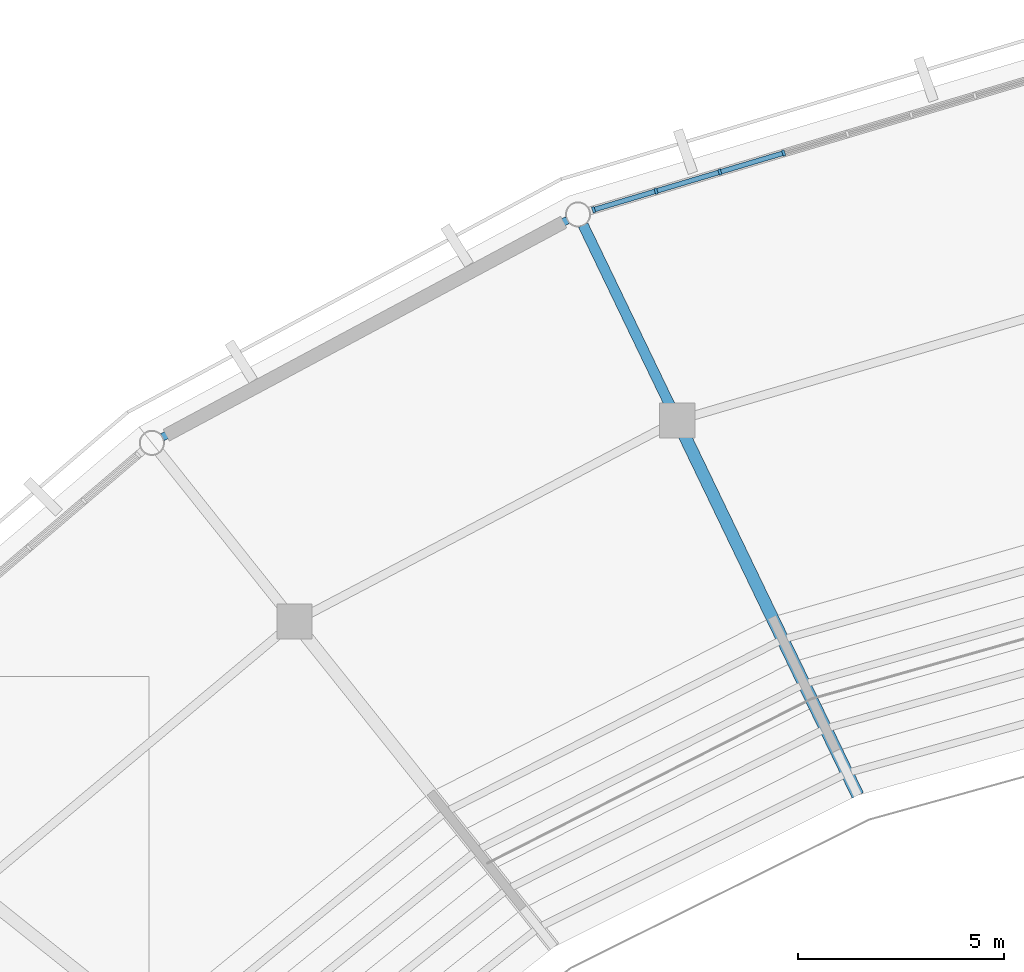
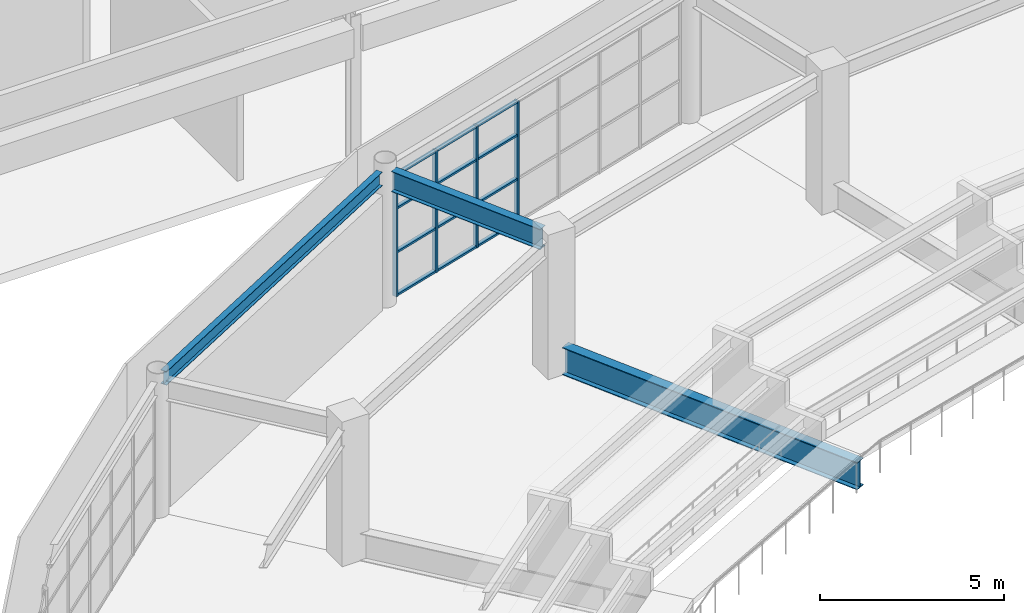
# One storey, part 53 of 122: 16 members, 3 beams, 1 element without a shape of its own.
"""IFC4 building model written with IfcOpenShell, lengths in metres."""

from ifc_helpers import new_model, si_unit, direction, frame, origin, origin_2d, place, context, subcontext, project, spatial, rectangle, i_section, extrude, material, material_profile, profile_set, type_object, element, aggregate, save


model = new_model("IFC4")

# Units and contexts
model_context = context("Model", 3, precision=1e-05, world=origin(), true_north=direction((0.0, 1.0)))
body_context = subcontext(model_context, "Body", "Model", "MODEL_VIEW")
ifc_project = project(units=[si_unit("LENGTHUNIT", "METRE"), si_unit("AREAUNIT", "SQUARE_METRE"), si_unit("VOLUMEUNIT", "CUBIC_METRE"), si_unit("PLANEANGLEUNIT", "RADIAN"), si_unit("MASSUNIT", "GRAM", prefix="KILO")], contexts=[model_context])

# Site, building, storey
site_placement = place(None, origin())
site = spatial("IfcSite", under=ifc_project, at=site_placement, CompositionType="ELEMENT")
building_placement = place(site_placement, origin())
building = spatial("IfcBuilding", under=site, at=building_placement, Name="Cuetzalor Civic Arena", CompositionType="ELEMENT")
storey_placement = place(building_placement, frame((0.0, 0.0, 16.199951171875)))
storey = spatial("IfcBuildingStorey", under=building, at=storey_placement, Name="L03", CompositionType="ELEMENT", Elevation=16.199951171875)

# Curtain wall, members
ifc_material_1 = material(Name="Anodised dark bronze aluminium and low-E solar glass", Category="aluminium")
curtain_wall_type = type_object("IfcCurtainWallType", Name="UnitisedCW_11300x4050", PredefinedType="USERDEFINED", material=ifc_material_1)
curtain_wall_placement = place(storey_placement, origin())
curtain_wall = element("IfcCurtainWall", 1, at=curtain_wall_placement, inside=storey, type_object=curtain_wall_type, Name="Drum Triangle Foyer Curtain Wall L03-048", ObjectType="UNITISED CURTAIN WALL", PredefinedType="USERDEFINED")
ifc_material_2 = material(Name="Anodised dark bronze aluminium", Category="aluminium")
ifc_material_profile_1 = material_profile(ifc_material_2, rectangle(XDim=0.06494140625, YDim=0.14990234375, at=origin_2d()), Name="ALU MULLION 65x150")
ifc_profile_set_1 = profile_set([ifc_material_profile_1], Name="Anodised dark bronze aluminium")
member_type_1 = type_object("IfcMemberType", Name="CurtainWallMullion_60x150", PredefinedType="MULLION", material=ifc_profile_set_1)
member_1_placement = place(storey_placement, frame((-23.290771484375, 42.052734375, 0.0), z_axis=(0.0, 0.0, 1.0), x_axis=(0.958193690548, 0.286120344251, 0.0)))
member_1 = element("IfcMember", 2, at=member_1_placement, type_object=member_type_1, Name="CW-15 mullion 1", PredefinedType="MULLION", context=body_context, shape_type="SweptSolid", body=[
    extrude(rectangle(XDim=0.06494140625, YDim=0.14990234375, at=origin_2d()), origin(), (0.0, 0.0, 1.0), 4.052978515625),
])
member_2_placement = place(storey_placement, frame((-21.77392578125, 42.505859375, 0.0), z_axis=(0.0, 0.0, 1.0), x_axis=(0.958193690548, 0.286120344251, 0.0)))
member_2 = element("IfcMember", 3, at=member_2_placement, type_object=member_type_1, Name="CW-15 mullion 2", PredefinedType="MULLION", context=body_context, shape_type="SweptSolid", body=[
    extrude(rectangle(XDim=0.06494140625, YDim=0.14990234375, at=origin_2d()), origin(), (0.0, 0.0, 1.0), 4.052978515625),
])
member_3_placement = place(storey_placement, frame((-20.2255859375, 42.968017578125, 0.0), z_axis=(0.0, 0.0, 1.0), x_axis=(0.958193690548, 0.286120344251, 0.0)))
member_3 = element("IfcMember", 4, at=member_3_placement, type_object=member_type_1, Name="CW-15 mullion 3", PredefinedType="MULLION", context=body_context, shape_type="SweptSolid", body=[
    extrude(rectangle(XDim=0.06494140625, YDim=0.14990234375, at=origin_2d()), origin(), (0.0, 0.0, 1.0), 4.052978515625),
])
member_4_placement = place(storey_placement, frame((-18.677490234375, 43.430419921875, 0.0), z_axis=(0.0, 0.0, 1.0), x_axis=(0.958193690548, 0.286120344251, 0.0)))
member_4 = element("IfcMember", 5, at=member_4_placement, type_object=member_type_1, Name="CW-15 mullion 4", PredefinedType="MULLION", context=body_context, shape_type="SweptSolid", body=[
    extrude(rectangle(XDim=0.06494140625, YDim=0.14990234375, at=origin_2d()), origin(), (0.0, 0.0, 1.0), 4.052978515625),
])
ifc_material_3 = material(Name="Anodised dark bronze aluminium", Category="aluminium")
ifc_material_profile_2 = material_profile(ifc_material_3, rectangle(XDim=0.1201171875, YDim=0.06494140625, at=origin_2d()), Name="ALU TRANSOM 65x120")
ifc_profile_set_2 = profile_set([ifc_material_profile_2], Name="Anodised dark bronze aluminium")
member_type_2 = type_object("IfcMemberType", Name="CurtainWallTransom_60x120", PredefinedType="USERDEFINED", material=ifc_profile_set_2)
member_5_placement = place(storey_placement, frame((-23.259765625, 42.06201171875, 0.032470703125), z_axis=(0.958166375169, 0.286211805303, 0.0), x_axis=(-0.286211805303, 0.958166375169, 0.0)))
member_5 = element("IfcMember", 6, at=member_5_placement, type_object=member_type_2, Name="CW-15 transom 1.1", ObjectType="TRANSOM", PredefinedType="USERDEFINED", context=body_context, shape_type="SweptSolid", body=[
    extrude(rectangle(XDim=0.1201171875, YDim=0.06494140625, at=origin_2d()), origin(), (0.0, 0.0, 1.0), 1.518310546875),
])
member_6_placement = place(storey_placement, frame((-23.259765625, 42.06201171875, 1.458984375), z_axis=(0.958166375169, 0.286211805303, 0.0), x_axis=(-0.286211805303, 0.958166375169, 0.0)))
member_6 = element("IfcMember", 7, at=member_6_placement, type_object=member_type_2, Name="CW-15 transom 1.2", ObjectType="TRANSOM", PredefinedType="USERDEFINED", context=body_context, shape_type="SweptSolid", body=[
    extrude(rectangle(XDim=0.1201171875, YDim=0.06494140625, at=origin_2d()), origin(), (0.0, 0.0, 1.0), 1.518310546875),
])
member_7_placement = place(storey_placement, frame((-23.259765625, 42.06201171875, 2.91796875), z_axis=(0.958166375169, 0.286211805303, 0.0), x_axis=(-0.286211805303, 0.958166375169, 0.0)))
member_7 = element("IfcMember", 8, at=member_7_placement, type_object=member_type_2, Name="CW-15 transom 1.3", ObjectType="TRANSOM", PredefinedType="USERDEFINED", context=body_context, shape_type="SweptSolid", body=[
    extrude(rectangle(XDim=0.1201171875, YDim=0.06494140625, at=origin_2d()), origin(), (0.0, 0.0, 1.0), 1.518310546875),
])
member_8_placement = place(storey_placement, frame((-23.259765625, 42.06201171875, 4.0205078125), z_axis=(0.958166375169, 0.286211805303, 0.0), x_axis=(-0.286211805303, 0.958166375169, 0.0)))
member_8 = element("IfcMember", 9, at=member_8_placement, type_object=member_type_2, Name="CW-15 transom 1.4", ObjectType="TRANSOM", PredefinedType="USERDEFINED", context=body_context, shape_type="SweptSolid", body=[
    extrude(rectangle(XDim=0.1201171875, YDim=0.06494140625, at=origin_2d()), origin(), (0.0, 0.0, 1.0), 1.518310546875),
])
member_9_placement = place(storey_placement, frame((-21.74267578125, 42.51513671875, 0.032470703125), z_axis=(0.958206775077, 0.286076521576, 0.0), x_axis=(-0.286076521576, 0.958206775077, 0.0)))
member_9 = element("IfcMember", 10, at=member_9_placement, type_object=member_type_2, Name="CW-15 transom 2.1", ObjectType="TRANSOM", PredefinedType="USERDEFINED", context=body_context, shape_type="SweptSolid", body=[
    extrude(rectangle(XDim=0.1201171875, YDim=0.06494140625, at=origin_2d()), origin(), (0.0, 0.0, 1.0), 1.550537109375),
])
member_10_placement = place(storey_placement, frame((-21.74267578125, 42.51513671875, 1.458984375), z_axis=(0.958206775077, 0.286076521576, 0.0), x_axis=(-0.286076521576, 0.958206775077, 0.0)))
member_10 = element("IfcMember", 11, at=member_10_placement, type_object=member_type_2, Name="CW-15 transom 2.2", ObjectType="TRANSOM", PredefinedType="USERDEFINED", context=body_context, shape_type="SweptSolid", body=[
    extrude(rectangle(XDim=0.1201171875, YDim=0.06494140625, at=origin_2d()), origin(), (0.0, 0.0, 1.0), 1.550537109375),
])
member_11_placement = place(storey_placement, frame((-21.74267578125, 42.51513671875, 2.91796875), z_axis=(0.958206775077, 0.286076521576, 0.0), x_axis=(-0.286076521576, 0.958206775077, 0.0)))
member_11 = element("IfcMember", 12, at=member_11_placement, type_object=member_type_2, Name="CW-15 transom 2.3", ObjectType="TRANSOM", PredefinedType="USERDEFINED", context=body_context, shape_type="SweptSolid", body=[
    extrude(rectangle(XDim=0.1201171875, YDim=0.06494140625, at=origin_2d()), origin(), (0.0, 0.0, 1.0), 1.550537109375),
])
member_12_placement = place(storey_placement, frame((-21.74267578125, 42.51513671875, 4.0205078125), z_axis=(0.958206775077, 0.286076521576, 0.0), x_axis=(-0.286076521576, 0.958206775077, 0.0)))
member_12 = element("IfcMember", 13, at=member_12_placement, type_object=member_type_2, Name="CW-15 transom 2.4", ObjectType="TRANSOM", PredefinedType="USERDEFINED", context=body_context, shape_type="SweptSolid", body=[
    extrude(rectangle(XDim=0.1201171875, YDim=0.06494140625, at=origin_2d()), origin(), (0.0, 0.0, 1.0), 1.550537109375),
])
member_13_placement = place(storey_placement, frame((-20.194580078125, 42.977294921875, 0.032470703125), z_axis=(0.958163607379, 0.286221071018, 0.0), x_axis=(-0.286221071018, 0.958163607379, 0.0)))
member_13 = element("IfcMember", 14, at=member_13_placement, type_object=member_type_2, Name="CW-15 transom 3.1", ObjectType="TRANSOM", PredefinedType="USERDEFINED", context=body_context, shape_type="SweptSolid", body=[
    extrude(rectangle(XDim=0.1201171875, YDim=0.06494140625, at=origin_2d()), origin(), (0.0, 0.0, 1.0), 1.55078125),
])
member_14_placement = place(storey_placement, frame((-20.194580078125, 42.977294921875, 1.458984375), z_axis=(0.958163607379, 0.286221071018, 0.0), x_axis=(-0.286221071018, 0.958163607379, 0.0)))
member_14 = element("IfcMember", 15, at=member_14_placement, type_object=member_type_2, Name="CW-15 transom 3.2", ObjectType="TRANSOM", PredefinedType="USERDEFINED", context=body_context, shape_type="SweptSolid", body=[
    extrude(rectangle(XDim=0.1201171875, YDim=0.06494140625, at=origin_2d()), origin(), (0.0, 0.0, 1.0), 1.55078125),
])
member_15_placement = place(storey_placement, frame((-20.194580078125, 42.977294921875, 2.91796875), z_axis=(0.958163607379, 0.286221071018, 0.0), x_axis=(-0.286221071018, 0.958163607379, 0.0)))
member_15 = element("IfcMember", 16, at=member_15_placement, type_object=member_type_2, Name="CW-15 transom 3.3", ObjectType="TRANSOM", PredefinedType="USERDEFINED", context=body_context, shape_type="SweptSolid", body=[
    extrude(rectangle(XDim=0.1201171875, YDim=0.06494140625, at=origin_2d()), origin(), (0.0, 0.0, 1.0), 1.55078125),
])
member_16_placement = place(storey_placement, frame((-20.194580078125, 42.977294921875, 4.0205078125), z_axis=(0.958163607379, 0.286221071018, 0.0), x_axis=(-0.286221071018, 0.958163607379, 0.0)))
member_16 = element("IfcMember", 17, at=member_16_placement, type_object=member_type_2, Name="CW-15 transom 3.4", ObjectType="TRANSOM", PredefinedType="USERDEFINED", context=body_context, shape_type="SweptSolid", body=[
    extrude(rectangle(XDim=0.1201171875, YDim=0.06494140625, at=origin_2d()), origin(), (0.0, 0.0, 1.0), 1.55078125),
])
aggregate(curtain_wall, [member_1, member_2, member_3, member_4, member_5, member_6, member_7, member_8, member_9, member_10, member_11, member_12, member_13, member_14, member_15, member_16])

# Beams
ifc_material_4 = material(Name="Steel S355", Category="steel")
ifc_material_profile_3 = material_profile(ifc_material_4, i_section(OverallWidth=0.18994140625, OverallDepth=0.45703125, WebThickness=0.009033203125, FlangeThickness=0.014404296875, at=origin_2d()), Name="W460x74")
ifc_profile_set_3 = profile_set([ifc_material_profile_3], Name="Steel S355")
beam_type_1 = type_object("IfcBeamType", Name="FacadeSpandrelBeam_W460", PredefinedType="SPANDREL", material=ifc_profile_set_3)
beam_1_placement = place(storey_placement, frame((-23.924072265625, 41.802978515625, 4.29150390625), z_axis=(-0.881304552514, -0.472548712534, 0.0), x_axis=(0.472548712534, -0.881304552514, 0.0)))
element("IfcBeam", 18, at=beam_1_placement, inside=storey, type_object=beam_type_1, Name="Drum Perimeter Spandrel L03-S10", PredefinedType="SPANDREL", context=body_context, shape_type="SweptSolid", body=[
    extrude(i_section(OverallWidth=0.18994140625, OverallDepth=0.45703125, WebThickness=0.009033203125, FlangeThickness=0.014404296875, at=origin_2d()), origin(), (0.0, 0.0, 1.0), 11.156005859375),
])
ifc_material_5 = material(Name="Steel S355", Category="steel")
ifc_material_profile_4 = material_profile(ifc_material_5, i_section(OverallWidth=0.2529296875, OverallDepth=0.677978515625, WebThickness=0.01171875, FlangeThickness=0.016357421875, at=origin_2d()), Name="W690x125")
ifc_profile_set_4 = profile_set([ifc_material_profile_4], Name="Steel S355")
beam_type_2 = type_object("IfcBeamType", Name="SteelPrimaryGirder_W690", PredefinedType="BEAM", material=ifc_profile_set_4)
beam_2_placement = place(storey_placement, frame((-21.41650390625, 37.263916015625, 4.18115234375), z_axis=(-0.433871046232, 0.900974980364, 0.0), x_axis=(-0.900974980364, -0.433871046232, 0.0)))
element("IfcBeam", 19, at=beam_2_placement, inside=storey, type_object=beam_type_2, Name="Drum Radial Girder L03-R10", PredefinedType="BEAM", context=body_context, shape_type="SweptSolid", body=[
    extrude(i_section(OverallWidth=0.2529296875, OverallDepth=0.677978515625, WebThickness=0.01171875, FlangeThickness=0.016357421875, at=origin_2d()), origin(), (0.0, 0.0, 1.0), 4.89990234375),
])
ifc_material_6 = material(Name="Steel S355", Category="steel")
ifc_material_profile_5 = material_profile(ifc_material_6, i_section(OverallWidth=0.303955078125, OverallDepth=0.910888671875, WebThickness=0.015869140625, FlangeThickness=0.02392578125, at=origin_2d()), Name="W920x223")
ifc_profile_set_5 = profile_set([ifc_material_profile_5], Name="Steel S355")
beam_type_3 = type_object("IfcBeamType", Name="UpperBowlRakerBeam_W840", PredefinedType="USERDEFINED", material=ifc_profile_set_5)
beam_3_placement = place(storey_placement, frame((-16.878173828125, 27.83984375, 0.45556640625), z_axis=(-0.433872257187, 0.900974397219, 0.0), x_axis=(-0.900974397219, -0.433872257187, 0.0)))
element("IfcBeam", 20, at=beam_3_placement, inside=storey, type_object=beam_type_3, Name="Upper Bowl Raker Beam R10", ObjectType="RAKER", PredefinedType="USERDEFINED", context=body_context, shape_type="SweptSolid", body=[
    extrude(i_section(OverallWidth=0.303955078125, OverallDepth=0.910888671875, WebThickness=0.015869140625, FlangeThickness=0.02392578125, at=origin_2d()), origin(), (0.0, 0.0, 1.0), 9.72021484375),
])

save(model, "model.ifc")
